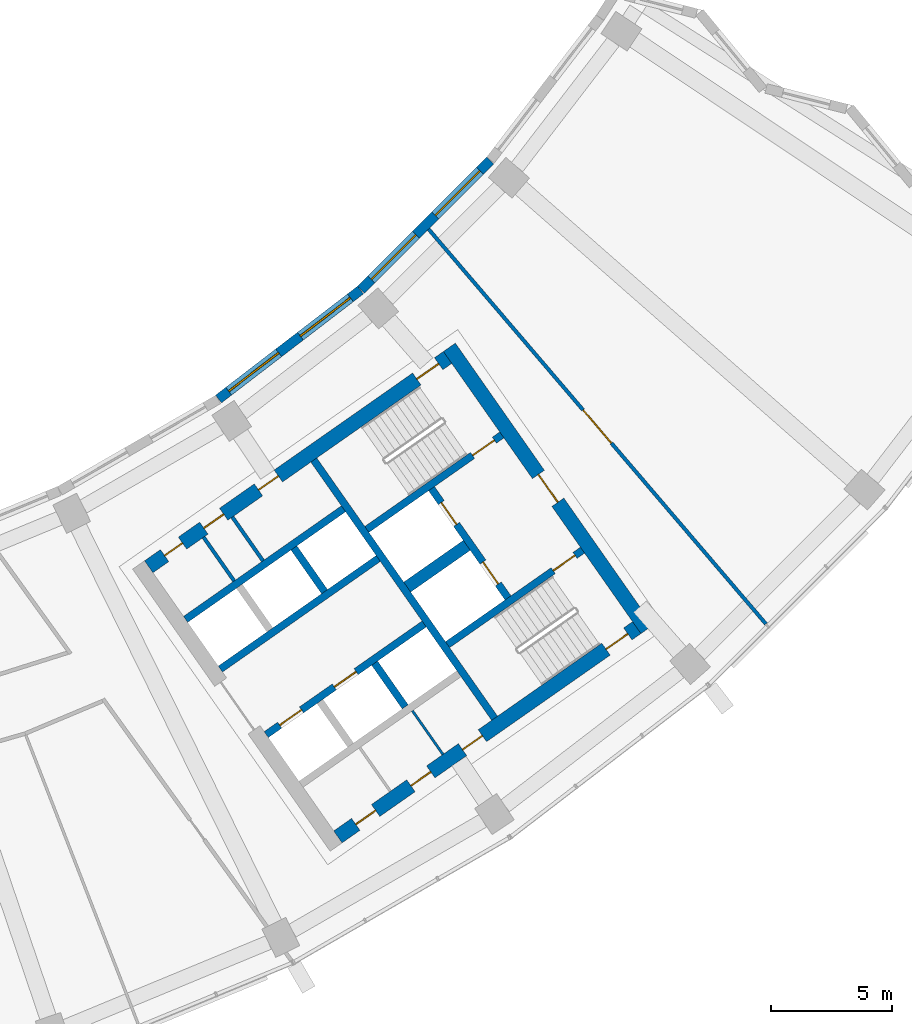
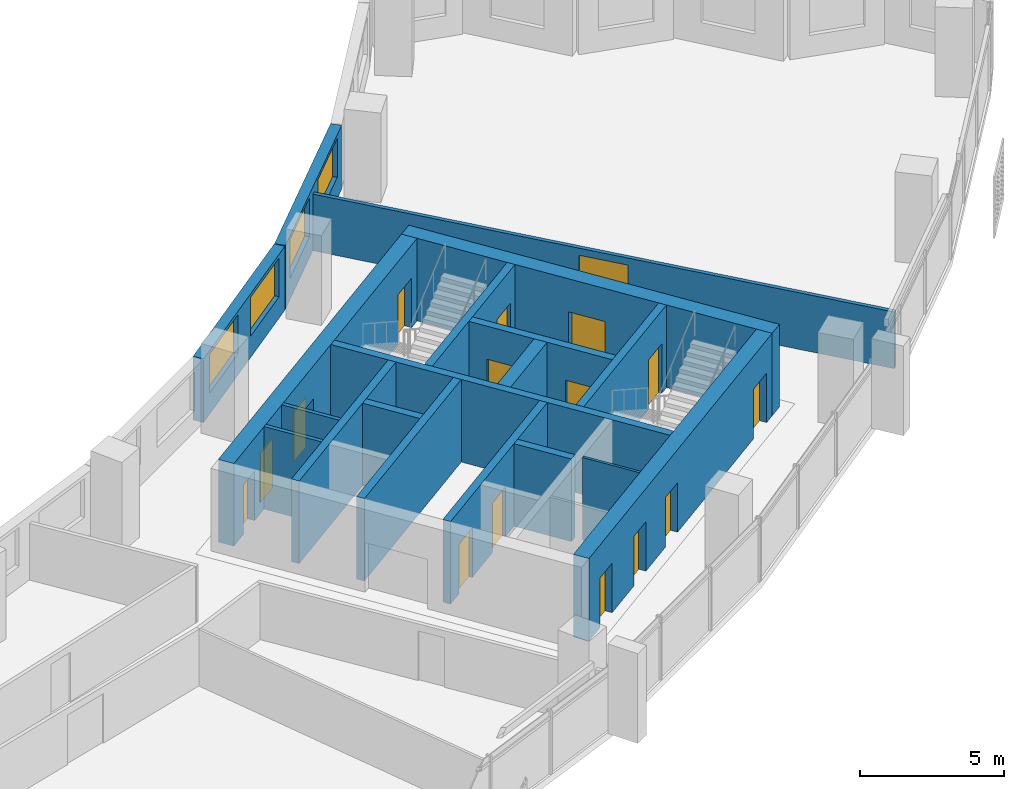
# One storey, part 6 of 27: 19 walls, 16 doors, 4 windows, 20 openings.
"""IFC4 building model written with IfcOpenShell, lengths in metres."""

from ifc_helpers import new_model, si_unit, direction, frame, frame_2d, origin, place, context, subcontext, project, spatial, rectangle, extrude, material, layer, layer_set, type_object, element, fill, save


model = new_model("IFC4")

# Units and contexts
model_context = context("Model", 3, precision=1e-05, world=origin(), true_north=direction((0.0, 1.0)))
body_context = subcontext(model_context, "Body", "Model", "MODEL_VIEW")
ifc_project = project(units=[si_unit("LENGTHUNIT", "METRE"), si_unit("AREAUNIT", "SQUARE_METRE"), si_unit("VOLUMEUNIT", "CUBIC_METRE"), si_unit("PLANEANGLEUNIT", "RADIAN"), si_unit("MASSUNIT", "GRAM", prefix="KILO")], contexts=[model_context])

# Site, building, storey
site_placement = place(None, origin())
site = spatial("IfcSite", under=ifc_project, at=site_placement, CompositionType="ELEMENT")
building_placement = place(site_placement, origin())
building = spatial("IfcBuilding", under=site, at=building_placement, Name="Qamariyya Broadcast Tower", CompositionType="ELEMENT")
storey_placement = place(building_placement, frame((0.0, 0.0, 153.10009765625)))
storey = spatial("IfcBuildingStorey", under=building, at=storey_placement, Name="L35", CompositionType="ELEMENT", Elevation=153.10009765625)

# Wall, opening, door
ifc_material_1 = material(Name="Concrete C60/75", Category="concrete")
ifc_layer_1 = layer(ifc_material_1, 0.60009765625)
ifc_layer_set_1 = layer_set([ifc_layer_1], Name="Core wall 600 mm Concrete C60/75")
wall_type_1 = type_object("IfcWallType", Name="Core wall 600 mm Concrete C60/75", PredefinedType="SHEAR", material=ifc_layer_set_1)
wall_1_placement = place(storey_placement, frame((49.4833984375, -57.031494140625, 0.0), z_axis=(0.0, 0.0, 1.0), x_axis=(-0.573560421458, 0.819163257805, 0.0)))
wall_1 = element("IfcWall", 1, at=wall_1_placement, inside=storey, type_object=wall_type_1, Name="k-E-L35-WH", PredefinedType="SHEAR", context=body_context, shape_type="SweptSolid", body=[
    extrude(rectangle(XDim=14.199951171875, YDim=0.60009765625, at=frame_2d((7.10009765625, 0.0))), origin(), (0.0, 0.0, 1.0), 3.5),
])
opening_1_placement = place(wall_1_placement, frame((6.39990234375, 0.0, 0.0)))
opening_1 = element("IfcOpeningElement", 2, at=opening_1_placement, cuts=wall_1, Name="Opening KD2-E1", PredefinedType="OPENING", context=body_context, shape_type="SweptSolid", body=[
    extrude(rectangle(XDim=1.39990234375, YDim=2.10009765625, at=frame_2d((0.699951171875, 1.050048828125))), frame((0.0, 0.31005859375, 0.0), z_axis=(0.0, -1.0, 0.0), x_axis=(1.0, 0.0, 0.0)), (0.0, 0.0, 1.0), 0.6201171875),
])
ifc_material_2 = material(Name="Steel fire-resisting door leaf", Category="steel")
door_type_1 = type_object("IfcDoorType", Name="Fire-fighting lobby door KD2", OperationType="DOUBLE_DOOR_SINGLE_SWING", PredefinedType="DOOR", material=ifc_material_2)
door_1_placement = place(opening_1_placement, origin())
door_1 = element("IfcDoor", 3, at=door_1_placement, inside=storey, type_object=door_type_1, Name="k-E-L35-WH-D12", OperationType="DOUBLE_DOOR_SINGLE_SWING", OverallHeight=2.10009765625, OverallWidth=1.39990234375, PredefinedType="DOOR", context=body_context, shape_type="SweptSolid", body=[
    extrude(rectangle(XDim=1.39990234375, YDim=2.10009765625, at=frame_2d((0.699951171875, 1.050048828125))), frame((0.0, 0.02490234375, 0.0), z_axis=(0.0, -1.0, 0.0), x_axis=(1.0, 0.0, 0.0)), (0.0, 0.0, 1.0), 0.050048828125),
])
fill(opening_1, door_1)

# Wall, openings, doors
wall_2_placement = place(storey_placement, frame((28.940673828125, -54.447021484375, 0.0), z_axis=(0.0, 0.0, 1.0), x_axis=(0.819153391756, 0.573574511963, 0.0)))
wall_2 = element("IfcWall", 4, at=wall_2_placement, inside=storey, type_object=wall_type_1, Name="k-E-L35-WI", PredefinedType="SHEAR", context=body_context, shape_type="SweptSolid", body=[
    extrude(rectangle(XDim=15.04541015625, YDim=0.60009765625, at=frame_2d((7.522705078125, 0.0))), origin(), (0.0, 0.0, 1.0), 3.5),
])
opening_2_placement = place(wall_2_placement, frame((0.800048828125, 0.0, 0.0)))
opening_2 = element("IfcOpeningElement", 5, at=opening_2_placement, cuts=wall_2, Name="Opening KD5-E1", PredefinedType="OPENING", context=body_context, shape_type="SweptSolid", body=[
    extrude(rectangle(XDim=0.89990234375, YDim=2.10009765625, at=frame_2d((0.449951171875, 1.050048828125))), frame((0.0, 0.31005859375, 0.0), z_axis=(0.0, -1.0, 0.0), x_axis=(1.0, 0.0, 0.0)), (0.0, 0.0, 1.0), 0.6201171875),
])
opening_3_placement = place(wall_2_placement, frame((2.77490234375, 0.0, 0.0)))
opening_3 = element("IfcOpeningElement", 6, at=opening_3_placement, cuts=wall_2, Name="Opening KD7-E1", PredefinedType="OPENING", context=body_context, shape_type="SweptSolid", body=[
    extrude(rectangle(XDim=1.0, YDim=2.10009765625, at=frame_2d((0.5, 1.050048828125))), frame((0.0, 0.31005859375, 0.0), z_axis=(0.0, -1.0, 0.0), x_axis=(1.0, 0.0, 0.0)), (0.0, 0.0, 1.0), 0.6201171875),
])
opening_4_placement = place(wall_2_placement, frame((5.52490234375, 0.0, 0.0)))
opening_4 = element("IfcOpeningElement", 7, at=opening_4_placement, cuts=wall_2, Name="Opening KD6-E1", PredefinedType="OPENING", context=body_context, shape_type="SweptSolid", body=[
    extrude(rectangle(XDim=1.0, YDim=2.10009765625, at=frame_2d((0.5, 1.050048828125))), frame((0.0, 0.31005859375, 0.0), z_axis=(0.0, -1.0, 0.0), x_axis=(1.0, 0.0, 0.0)), (0.0, 0.0, 1.0), 0.6201171875),
])
opening_5_placement = place(wall_2_placement, frame((13.495361328125, 0.0, 0.0)))
opening_5 = element("IfcOpeningElement", 8, at=opening_5_placement, cuts=wall_2, Name="Opening KD1-E1", PredefinedType="OPENING", context=body_context, shape_type="SweptSolid", body=[
    extrude(rectangle(XDim=1.10009765625, YDim=2.10009765625, at=frame_2d((0.550048828125, 1.050048828125))), frame((0.0, 0.31005859375, 0.0), z_axis=(0.0, -1.0, 0.0), x_axis=(1.0, 0.0, 0.0)), (0.0, 0.0, 1.0), 0.6201171875),
])
door_type_2 = type_object("IfcDoorType", Name="Accessible toilet door KD7", OperationType="SINGLE_SWING_LEFT", PredefinedType="DOOR", material=ifc_material_2)
door_2_placement = place(opening_3_placement, origin())
door_2 = element("IfcDoor", 9, at=door_2_placement, inside=storey, type_object=door_type_2, Name="k-E-L35-WI-D5", OperationType="SINGLE_SWING_LEFT", OverallHeight=2.10009765625, OverallWidth=1.0, PredefinedType="DOOR", context=body_context, shape_type="SweptSolid", body=[
    extrude(rectangle(XDim=1.0, YDim=2.10009765625, at=frame_2d((0.5, 1.050048828125))), frame((0.0, 0.02490234375, 0.0), z_axis=(0.0, -1.0, 0.0), x_axis=(1.0, 0.0, 0.0)), (0.0, 0.0, 1.0), 0.050048828125),
])
fill(opening_3, door_2)
door_type_3 = type_object("IfcDoorType", Name="Core room door KD6", OperationType="SINGLE_SWING_LEFT", PredefinedType="DOOR", material=ifc_material_2)
door_3_placement = place(opening_4_placement, origin())
door_3 = element("IfcDoor", 10, at=door_3_placement, inside=storey, type_object=door_type_3, Name="k-E-L35-WI-D6", OperationType="SINGLE_SWING_RIGHT", OverallHeight=2.10009765625, OverallWidth=1.0, PredefinedType="DOOR", context=body_context, shape_type="SweptSolid", body=[
    extrude(rectangle(XDim=1.0, YDim=2.10009765625, at=frame_2d((0.5, 1.050048828125))), frame((0.0, 0.02490234375, 0.0), z_axis=(0.0, -1.0, 0.0), x_axis=(1.0, 0.0, 0.0)), (0.0, 0.0, 1.0), 0.050048828125),
])
fill(opening_4, door_3)
door_type_4 = type_object("IfcDoorType", Name="Stair door KD1", OperationType="SINGLE_SWING_LEFT", PredefinedType="DOOR", material=ifc_material_2)
door_4_placement = place(opening_5_placement, origin())
door_4 = element("IfcDoor", 11, at=door_4_placement, inside=storey, type_object=door_type_4, Name="k-E-L35-WI-D13", OperationType="SINGLE_SWING_RIGHT", OverallHeight=2.10009765625, OverallWidth=1.10009765625, PredefinedType="DOOR", context=body_context, shape_type="SweptSolid", body=[
    extrude(rectangle(XDim=1.10009765625, YDim=2.10009765625, at=frame_2d((0.550048828125, 1.050048828125))), frame((0.0, 0.02490234375, 0.0), z_axis=(0.0, -1.0, 0.0), x_axis=(1.0, 0.0, 0.0)), (0.0, 0.0, 1.0), 0.050048828125),
])
fill(opening_5, door_4)
door_type_5 = type_object("IfcDoorType", Name="Toilet door KD5", OperationType="SINGLE_SWING_LEFT", PredefinedType="DOOR", material=ifc_material_2)
door_5_placement = place(opening_2_placement, origin())
door_5 = element("IfcDoor", 12, at=door_5_placement, inside=storey, type_object=door_type_5, Name="k-E-L35-WI-D4", OperationType="SINGLE_SWING_RIGHT", OverallHeight=2.10009765625, OverallWidth=0.89990234375, PredefinedType="DOOR", context=body_context, shape_type="SweptSolid", body=[
    extrude(rectangle(XDim=0.89990234375, YDim=2.10009765625, at=frame_2d((0.449951171875, 1.050048828125))), frame((0.0, 0.02490234375, 0.0), z_axis=(0.0, -1.0, 0.0), x_axis=(1.0, 0.0, 0.0)), (0.0, 0.0, 1.0), 0.050048828125),
])
fill(opening_2, door_5)

wall_3_placement = place(storey_placement, frame((36.7412109375, -65.58740234375, 0.0), z_axis=(0.0, 0.0, 1.0), x_axis=(0.819153391756, 0.573574511963, 0.0)))
wall_3 = element("IfcWall", 13, at=wall_3_placement, inside=storey, type_object=wall_type_1, Name="k-E-L35-WO", PredefinedType="SHEAR", context=body_context, shape_type="SweptSolid", body=[
    extrude(rectangle(XDim=15.04541015625, YDim=0.60009765625, at=frame_2d((7.522705078125, 0.0))), origin(), (0.0, 0.0, 1.0), 3.5),
])
opening_6_placement = place(wall_3_placement, frame((0.89990234375, 0.0, 0.0)))
opening_6 = element("IfcOpeningElement", 14, at=opening_6_placement, cuts=wall_3, Name="Opening KD4-E1", PredefinedType="OPENING", context=body_context, shape_type="SweptSolid", body=[
    extrude(rectangle(XDim=1.0, YDim=2.10009765625, at=frame_2d((0.5, 1.050048828125))), frame((0.0, 0.31005859375, 0.0), z_axis=(0.0, -1.0, 0.0), x_axis=(1.0, 0.0, 0.0)), (0.0, 0.0, 1.0), 0.6201171875),
])
opening_7_placement = place(wall_3_placement, frame((3.675048828125, 0.0, 0.0)))
opening_7 = element("IfcOpeningElement", 15, at=opening_7_placement, cuts=wall_3, Name="Opening KD4-E2", PredefinedType="OPENING", context=body_context, shape_type="SweptSolid", body=[
    extrude(rectangle(XDim=1.0, YDim=2.10009765625, at=frame_2d((0.5, 1.050048828125))), frame((0.0, 0.31005859375, 0.0), z_axis=(0.0, -1.0, 0.0), x_axis=(1.0, 0.0, 0.0)), (0.0, 0.0, 1.0), 0.6201171875),
])
opening_8_placement = place(wall_3_placement, frame((6.27490234375, 0.0, 0.0)))
opening_8 = element("IfcOpeningElement", 16, at=opening_8_placement, cuts=wall_3, Name="Opening KD4-E3", PredefinedType="OPENING", context=body_context, shape_type="SweptSolid", body=[
    extrude(rectangle(XDim=1.0, YDim=2.10009765625, at=frame_2d((0.5, 1.050048828125))), frame((0.0, 0.31005859375, 0.0), z_axis=(0.0, -1.0, 0.0), x_axis=(1.0, 0.0, 0.0)), (0.0, 0.0, 1.0), 0.6201171875),
])
opening_9_placement = place(wall_3_placement, frame((13.495361328125, 0.0, 0.0)))
opening_9 = element("IfcOpeningElement", 17, at=opening_9_placement, cuts=wall_3, Name="Opening KD1-E3", PredefinedType="OPENING", context=body_context, shape_type="SweptSolid", body=[
    extrude(rectangle(XDim=1.10009765625, YDim=2.10009765625, at=frame_2d((0.550048828125, 1.050048828125))), frame((0.0, 0.31005859375, 0.0), z_axis=(0.0, -1.0, 0.0), x_axis=(1.0, 0.0, 0.0)), (0.0, 0.0, 1.0), 0.6201171875),
])
door_type_6 = type_object("IfcDoorType", Name="Riser and plant door KD4", OperationType="SINGLE_SWING_LEFT", PredefinedType="DOOR", material=ifc_material_2)
door_6_placement = place(opening_6_placement, origin())
door_6 = element("IfcDoor", 18, at=door_6_placement, inside=storey, type_object=door_type_6, Name="k-E-L35-WO-D7", OperationType="SINGLE_SWING_LEFT", OverallHeight=2.10009765625, OverallWidth=1.0, PredefinedType="DOOR", context=body_context, shape_type="SweptSolid", body=[
    extrude(rectangle(XDim=1.0, YDim=2.10009765625, at=frame_2d((0.5, 1.050048828125))), frame((0.0, 0.02490234375, 0.0), z_axis=(0.0, -1.0, 0.0), x_axis=(1.0, 0.0, 0.0)), (0.0, 0.0, 1.0), 0.050048828125),
])
fill(opening_6, door_6)
door_7_placement = place(opening_7_placement, origin())
door_7 = element("IfcDoor", 19, at=door_7_placement, inside=storey, type_object=door_type_6, Name="k-E-L35-WO-D8", OperationType="SINGLE_SWING_RIGHT", OverallHeight=2.10009765625, OverallWidth=1.0, PredefinedType="DOOR", context=body_context, shape_type="SweptSolid", body=[
    extrude(rectangle(XDim=1.0, YDim=2.10009765625, at=frame_2d((0.5, 1.050048828125))), frame((0.0, 0.02490234375, 0.0), z_axis=(0.0, -1.0, 0.0), x_axis=(1.0, 0.0, 0.0)), (0.0, 0.0, 1.0), 0.050048828125),
])
fill(opening_7, door_7)
door_8_placement = place(opening_8_placement, origin())
door_8 = element("IfcDoor", 20, at=door_8_placement, inside=storey, type_object=door_type_6, Name="k-E-L35-WO-D9", OperationType="SINGLE_SWING_LEFT", OverallHeight=2.10009765625, OverallWidth=1.0, PredefinedType="DOOR", context=body_context, shape_type="SweptSolid", body=[
    extrude(rectangle(XDim=1.0, YDim=2.10009765625, at=frame_2d((0.5, 1.050048828125))), frame((0.0, 0.02490234375, 0.0), z_axis=(0.0, -1.0, 0.0), x_axis=(1.0, 0.0, 0.0)), (0.0, 0.0, 1.0), 0.050048828125),
])
fill(opening_8, door_8)
door_9_placement = place(opening_9_placement, origin())
door_9 = element("IfcDoor", 21, at=door_9_placement, inside=storey, type_object=door_type_4, Name="k-E-L35-WO-D15", OperationType="SINGLE_SWING_LEFT", OverallHeight=2.10009765625, OverallWidth=1.10009765625, PredefinedType="DOOR", context=body_context, shape_type="SweptSolid", body=[
    extrude(rectangle(XDim=1.10009765625, YDim=2.10009765625, at=frame_2d((0.550048828125, 1.050048828125))), frame((0.0, 0.02490234375, 0.0), z_axis=(0.0, -1.0, 0.0), x_axis=(1.0, 0.0, 0.0)), (0.0, 0.0, 1.0), 0.050048828125),
])
fill(opening_9, door_9)

# Wall, opening, door
ifc_material_3 = material(Name="Gypsum board partition")
ifc_layer_2 = layer(ifc_material_3, 0.14990234375)
ifc_layer_set_2 = layer_set([ifc_layer_2], Name="Corridor partition 150 EI 60")
wall_type_2 = type_object("IfcWallType", Name="Corridor partition 150 EI 60", PredefinedType="PARTITIONING", material=ifc_layer_set_2)
wall_4_placement = place(storey_placement, frame((40.478759765625, -40.52294921875, 0.0), z_axis=(0.0, 0.0, 1.0), x_axis=(0.649633284071, -0.760247720303, 0.0)))
wall_4 = element("IfcWall", 22, at=wall_4_placement, inside=storey, type_object=wall_type_2, Name="Partition L35-030", PredefinedType="PARTITIONING", context=body_context, shape_type="SweptSolid", body=[
    extrude(rectangle(XDim=21.420166015625, YDim=0.14990234375, at=frame_2d((10.7099609375, 0.0))), origin(), (0.0, 0.0, 1.0), 2.39990234375),
])
opening_10_placement = place(wall_4_placement, frame((9.81005859375, 0.0, 0.0)))
opening_10 = element("IfcOpeningElement", 23, at=opening_10_placement, cuts=wall_4, Name="Opening L35-D14", PredefinedType="OPENING", context=body_context, shape_type="SweptSolid", body=[
    extrude(rectangle(XDim=1.800048828125, YDim=2.10009765625, at=frame_2d((0.89990234375, 1.050048828125))), frame((0.0, 0.0849609375, 0.0), z_axis=(0.0, -1.0, 0.0), x_axis=(1.0, 0.0, 0.0)), (0.0, 0.0, 1.0), 0.169921875),
])
ifc_material_4 = material(Name="Timber fire door leaf", Category="wood")
door_type_7 = type_object("IfcDoorType", Name="Double fire door 1800 x 2100 FD60", OperationType="NOTDEFINED", PredefinedType="DOOR", material=ifc_material_4)
door_10_placement = place(opening_10_placement, origin())
door_10 = element("IfcDoor", 24, at=door_10_placement, inside=storey, type_object=door_type_7, Name="Door L35-D14", OperationType="DOUBLE_DOOR_SINGLE_SWING", OverallHeight=2.10009765625, OverallWidth=1.800048828125, PredefinedType="DOOR", context=body_context, shape_type="SweptSolid", body=[
    extrude(rectangle(XDim=1.800048828125, YDim=2.10009765625, at=frame_2d((0.89990234375, 1.050048828125))), frame((0.0, 0.02490234375, 0.0), z_axis=(0.0, -1.0, 0.0), x_axis=(1.0, 0.0, 0.0)), (0.0, 0.0, 1.0), 0.050048828125),
])
fill(opening_10, door_10)

# Walls
ifc_layer_3 = layer(ifc_material_1, 0.5)
ifc_layer_set_3 = layer_set([ifc_layer_3], Name="Fire-fighting lobby divider wall 500 mm Concrete C60/75")
wall_type_3 = type_object("IfcWallType", Name="Fire-fighting lobby divider wall 500 mm Concrete C60/75", PredefinedType="SOLIDWALL", material=ifc_layer_set_3)
wall_5_placement = place(storey_placement, frame((39.59912109375, -55.28515625, 0.0), z_axis=(0.0, 0.0, 1.0), x_axis=(0.819136323161, 0.573598887793, 0.0)))
element("IfcWall", 25, at=wall_5_placement, inside=storey, type_object=wall_type_3, Name="k-E-L35-FD", PredefinedType="SOLIDWALL", context=body_context, shape_type="SweptSolid", body=[
    extrude(rectangle(XDim=2.999755859375, YDim=0.5, at=frame_2d((1.5, 0.0))), origin(), (0.0, 0.0, 1.0), 3.5),
])
ifc_material_5 = material(Name="Gypsum board partition on steel studs", Category="steel")
ifc_layer_4 = layer(ifc_material_5, 0.14990234375)
ifc_layer_set_4 = layer_set([ifc_layer_4], Name="Gypsum board partition 150 mm")
wall_type_4 = type_object("IfcWallType", Name="Gypsum board partition 150 mm", PredefinedType="PARTITIONING", material=ifc_layer_set_4)
wall_6_placement = place(storey_placement, frame((32.46337890625, -55.0322265625, 0.0), z_axis=(0.0, 0.0, 1.0), x_axis=(-0.573507030513, 0.819200638399, 0.0)))
element("IfcWall", 26, at=wall_6_placement, inside=storey, type_object=wall_type_4, Name="k-E-L35-NP255", PredefinedType="PARTITIONING", context=body_context, shape_type="SweptSolid", body=[
    extrude(rectangle(XDim=2.199951171875, YDim=0.14990234375, at=frame_2d((1.10009765625, 0.0))), origin(), (0.0, 0.0, 1.0), 3.5),
])
wall_7_placement = place(storey_placement, frame((33.651123046875, -54.200439453125, 0.0), z_axis=(0.0, 0.0, 1.0), x_axis=(-0.573559170999, 0.819164133348, 0.0)))
element("IfcWall", 27, at=wall_7_placement, inside=storey, type_object=wall_type_4, Name="k-E-L35-NP400", PredefinedType="PARTITIONING", context=body_context, shape_type="SweptSolid", body=[
    extrude(rectangle(XDim=2.19970703125, YDim=0.14990234375, at=frame_2d((1.099853515625, 0.0))), origin(), (0.0, 0.0, 1.0), 3.5),
])
ifc_layer_5 = layer(ifc_material_1, 0.300048828125)
ifc_layer_set_5 = layer_set([ifc_layer_5], Name="Lift shaft wall 300 mm Concrete C60/75")
wall_type_5 = type_object("IfcWallType", Name="Lift shaft wall 300 mm Concrete C60/75", PredefinedType="SOLIDWALL", material=ifc_layer_set_5)
wall_8_placement = place(storey_placement, frame((43.204345703125, -60.69580078125, 0.0), z_axis=(0.0, 0.0, 1.0), x_axis=(-0.573571992966, 0.819155155563, 0.0)))
element("IfcWall", 28, at=wall_8_placement, inside=storey, type_object=wall_type_5, Name="k-E-L35-WL", PredefinedType="SOLIDWALL", context=body_context, shape_type="SweptSolid", body=[
    extrude(rectangle(XDim=13.000244140625, YDim=0.300048828125, at=frame_2d((6.5, 0.0))), origin(), (0.0, 0.0, 1.0), 3.5),
])
wall_9_placement = place(storey_placement, frame((31.89453125, -58.66552734375, 0.0), z_axis=(0.0, 0.0, 1.0), x_axis=(0.819166993208, 0.573555086491, 0.0)))
element("IfcWall", 29, at=wall_9_placement, inside=storey, type_object=wall_type_5, Name="k-E-L35-NF0", PredefinedType="SOLIDWALL", context=body_context, shape_type="SweptSolid", body=[
    extrude(rectangle(XDim=7.9501953125, YDim=0.300048828125, at=frame_2d((3.97509765625, 0.0))), origin(), (0.0, 0.0, 1.0), 3.5),
])
wall_10_placement = place(storey_placement, frame((30.460693359375, -56.61767578125, 0.0), z_axis=(0.0, 0.0, 1.0), x_axis=(0.819142461705, 0.573590121456, 0.0)))
element("IfcWall", 30, at=wall_10_placement, inside=storey, type_object=wall_type_5, Name="k-E-L35-NB0", PredefinedType="SOLIDWALL", context=body_context, shape_type="SweptSolid", body=[
    extrude(rectangle(XDim=7.949951171875, YDim=0.300048828125, at=frame_2d((3.97509765625, 0.0))), origin(), (0.0, 0.0, 1.0), 3.5),
])
wall_11_placement = place(storey_placement, frame((36.19091796875, -55.47412109375, 0.0), z_axis=(0.0, 0.0, 1.0), x_axis=(-0.573507030513, 0.819200638399, 0.0)))
element("IfcWall", 31, at=wall_11_placement, inside=storey, type_object=wall_type_5, Name="k-E-L35-ND1", PredefinedType="SOLIDWALL", context=body_context, shape_type="SweptSolid", body=[
    extrude(rectangle(XDim=2.199951171875, YDim=0.300048828125, at=frame_2d((1.10009765625, 0.0))), origin(), (0.0, 0.0, 1.0), 3.5),
])

# Wall, openings, doors
wall_12_placement = place(storey_placement, frame((33.787353515625, -61.368896484375, 0.0), z_axis=(0.0, 0.0, 1.0), x_axis=(0.819152564888, 0.573575692858, 0.0)))
wall_12 = element("IfcWall", 32, at=wall_12_placement, inside=storey, type_object=wall_type_5, Name="k-E-L35-SF0", PredefinedType="SOLIDWALL", context=body_context, shape_type="SweptSolid", body=[
    extrude(rectangle(XDim=7.9501953125, YDim=0.300048828125, at=frame_2d((3.97509765625, 0.0))), origin(), (0.0, 0.0, 1.0), 3.5),
])
opening_11_placement = place(wall_12_placement, frame((0.675048828125, 0.0, 0.0)))
opening_11 = element("IfcOpeningElement", 33, at=opening_11_placement, cuts=wall_12, Name="Opening LD", PredefinedType="OPENING", context=body_context, shape_type="SweptSolid", body=[
    extrude(rectangle(XDim=1.10009765625, YDim=2.10009765625, at=frame_2d((0.550048828125, 1.050048828125))), frame((0.0, 0.159912109375, 0.0), z_axis=(0.0, -1.0, 0.0), x_axis=(1.0, 0.0, 0.0)), (0.0, 0.0, 1.0), 0.320068359375),
])
opening_12_placement = place(wall_12_placement, frame((3.425048828125, 0.0, 0.0)))
opening_12 = element("IfcOpeningElement", 34, at=opening_12_placement, cuts=wall_12, Name="Opening LD", PredefinedType="OPENING", context=body_context, shape_type="SweptSolid", body=[
    extrude(rectangle(XDim=1.10009765625, YDim=2.10009765625, at=frame_2d((0.550048828125, 1.050048828125))), frame((0.0, 0.159912109375, 0.0), z_axis=(0.0, -1.0, 0.0), x_axis=(1.0, 0.0, 0.0)), (0.0, 0.0, 1.0), 0.320068359375),
])
door_type_8 = type_object("IfcDoorType", Name="Lift landing door LD", OperationType="DOUBLE_DOOR_SLIDING", PredefinedType="DOOR", material=ifc_material_2)
door_11_placement = place(opening_11_placement, origin())
door_11 = element("IfcDoor", 35, at=door_11_placement, inside=storey, type_object=door_type_8, Name="k-E-L35-SF0-D2", OperationType="DOUBLE_DOOR_SLIDING", OverallHeight=2.10009765625, OverallWidth=1.10009765625, PredefinedType="DOOR", context=body_context, shape_type="SweptSolid", body=[
    extrude(rectangle(XDim=1.10009765625, YDim=2.10009765625, at=frame_2d((0.550048828125, 1.050048828125))), frame((0.0, 0.02490234375, 0.0), z_axis=(0.0, -1.0, 0.0), x_axis=(1.0, 0.0, 0.0)), (0.0, 0.0, 1.0), 0.050048828125),
])
fill(opening_11, door_11)
door_12_placement = place(opening_12_placement, origin())
door_12 = element("IfcDoor", 36, at=door_12_placement, inside=storey, type_object=door_type_8, Name="k-E-L35-SF0-D3", OperationType="DOUBLE_DOOR_SLIDING", OverallHeight=2.10009765625, OverallWidth=1.10009765625, PredefinedType="DOOR", context=body_context, shape_type="SweptSolid", body=[
    extrude(rectangle(XDim=1.10009765625, YDim=2.10009765625, at=frame_2d((0.550048828125, 1.050048828125))), frame((0.0, 0.02490234375, 0.0), z_axis=(0.0, -1.0, 0.0), x_axis=(1.0, 0.0, 0.0)), (0.0, 0.0, 1.0), 0.050048828125),
])
fill(opening_12, door_12)

# Wall
wall_13_placement = place(storey_placement, frame((38.255859375, -58.423095703125, 0.0), z_axis=(0.0, 0.0, 1.0), x_axis=(0.573633636671, -0.819111989218, 0.0)))
element("IfcWall", 37, at=wall_13_placement, inside=storey, type_object=wall_type_5, Name="k-E-L35-SD1", PredefinedType="SOLIDWALL", context=body_context, shape_type="SweptSolid", body=[
    extrude(rectangle(XDim=2.199951171875, YDim=0.300048828125, at=frame_2d((1.10009765625, 0.0))), origin(), (0.0, 0.0, 1.0), 3.5),
])

# Wall, opening, door
wall_14_placement = place(storey_placement, frame((37.935546875, -52.90966796875, 0.0), z_axis=(0.0, 0.0, 1.0), x_axis=(0.819147518138, 0.57358290031, 0.0)))
wall_14 = element("IfcWall", 38, at=wall_14_placement, inside=storey, type_object=wall_type_5, Name="k-E-L35-NW", PredefinedType="SOLIDWALL", context=body_context, shape_type="SweptSolid", body=[
    extrude(rectangle(XDim=6.79541015625, YDim=0.300048828125, at=frame_2d((3.397705078125, 0.0))), origin(), (0.0, 0.0, 1.0), 3.5),
])
opening_13_placement = place(wall_14_placement, frame((5.3203125, 0.0, 0.0)))
opening_13 = element("IfcOpeningElement", 39, at=opening_13_placement, cuts=wall_14, Name="Opening KD1-E2", PredefinedType="OPENING", context=body_context, shape_type="SweptSolid", body=[
    extrude(rectangle(XDim=1.10009765625, YDim=2.10009765625, at=frame_2d((0.550048828125, 1.050048828125))), frame((0.0, 0.159912109375, 0.0), z_axis=(0.0, -1.0, 0.0), x_axis=(1.0, 0.0, 0.0)), (0.0, 0.0, 1.0), 0.320068359375),
])
door_13_placement = place(opening_13_placement, origin())
door_13 = element("IfcDoor", 40, at=door_13_placement, inside=storey, type_object=door_type_4, Name="k-E-L35-NW-D14", OperationType="SINGLE_SWING_RIGHT", OverallHeight=2.10009765625, OverallWidth=1.10009765625, PredefinedType="DOOR", context=body_context, shape_type="SweptSolid", body=[
    extrude(rectangle(XDim=1.10009765625, YDim=2.10009765625, at=frame_2d((0.550048828125, 1.050048828125))), frame((0.0, 0.02490234375, 0.0), z_axis=(0.0, -1.0, 0.0), x_axis=(1.0, 0.0, 0.0)), (0.0, 0.0, 1.0), 0.050048828125),
])
fill(opening_13, door_13)

wall_15_placement = place(storey_placement, frame((41.262451171875, -57.66064453125, 0.0), z_axis=(0.0, 0.0, 1.0), x_axis=(0.819164398642, 0.573558792102, 0.0)))
wall_15 = element("IfcWall", 41, at=wall_15_placement, inside=storey, type_object=wall_type_5, Name="k-E-L35-SW", PredefinedType="SOLIDWALL", context=body_context, shape_type="SweptSolid", body=[
    extrude(rectangle(XDim=6.795166015625, YDim=0.300048828125, at=frame_2d((3.3974609375, 0.0))), origin(), (0.0, 0.0, 1.0), 3.5),
])
opening_14_placement = place(wall_15_placement, frame((5.3203125, 0.0, 0.0)))
opening_14 = element("IfcOpeningElement", 42, at=opening_14_placement, cuts=wall_15, Name="Opening KD1-E4", PredefinedType="OPENING", context=body_context, shape_type="SweptSolid", body=[
    extrude(rectangle(XDim=1.10009765625, YDim=2.10009765625, at=frame_2d((0.550048828125, 1.050048828125))), frame((0.0, 0.159912109375, 0.0), z_axis=(0.0, -1.0, 0.0), x_axis=(1.0, 0.0, 0.0)), (0.0, 0.0, 1.0), 0.320068359375),
])
door_14_placement = place(opening_14_placement, origin())
door_14 = element("IfcDoor", 43, at=door_14_placement, inside=storey, type_object=door_type_4, Name="k-E-L35-SW-D16", OperationType="SINGLE_SWING_RIGHT", OverallHeight=2.10009765625, OverallWidth=1.10009765625, PredefinedType="DOOR", context=body_context, shape_type="SweptSolid", body=[
    extrude(rectangle(XDim=1.10009765625, YDim=2.10009765625, at=frame_2d((0.550048828125, 1.050048828125))), frame((0.0, 0.02490234375, 0.0), z_axis=(0.0, -1.0, 0.0), x_axis=(1.0, 0.0, 0.0)), (0.0, 0.0, 1.0), 0.050048828125),
])
fill(opening_14, door_14)

# Wall, openings, doors
wall_16_placement = place(storey_placement, frame((43.756591796875, -55.731201171875, 0.0), z_axis=(0.0, 0.0, 1.0), x_axis=(-0.573536818435, 0.819179783625, 0.0)))
wall_16 = element("IfcWall", 44, at=wall_16_placement, inside=storey, type_object=wall_type_5, Name="k-E-L35-FF", PredefinedType="SOLIDWALL", context=body_context, shape_type="SweptSolid", body=[
    extrude(rectangle(XDim=5.500244140625, YDim=0.300048828125, at=frame_2d((2.75, 0.0))), origin(), (0.0, 0.0, 1.0), 3.5),
])
opening_15_placement = place(wall_16_placement, frame((0.699951171875, 0.0, 0.0)))
opening_15 = element("IfcOpeningElement", 45, at=opening_15_placement, cuts=wall_16, Name="Opening LD", PredefinedType="OPENING", context=body_context, shape_type="SweptSolid", body=[
    extrude(rectangle(XDim=1.10009765625, YDim=2.10009765625, at=frame_2d((0.550048828125, 1.050048828125))), frame((0.0, 0.159912109375, 0.0), z_axis=(0.0, -1.0, 0.0), x_axis=(1.0, 0.0, 0.0)), (0.0, 0.0, 1.0), 0.320068359375),
])
opening_16_placement = place(wall_16_placement, frame((3.699951171875, 0.0, 0.0)))
opening_16 = element("IfcOpeningElement", 46, at=opening_16_placement, cuts=wall_16, Name="Opening LD", PredefinedType="OPENING", context=body_context, shape_type="SweptSolid", body=[
    extrude(rectangle(XDim=1.10009765625, YDim=2.10009765625, at=frame_2d((0.550048828125, 1.050048828125))), frame((0.0, 0.159912109375, 0.0), z_axis=(0.0, -1.0, 0.0), x_axis=(1.0, 0.0, 0.0)), (0.0, 0.0, 1.0), 0.320068359375),
])
door_15_placement = place(opening_15_placement, origin())
door_15 = element("IfcDoor", 47, at=door_15_placement, inside=storey, type_object=door_type_8, Name="k-E-L35-FF-D10", OperationType="DOUBLE_DOOR_SLIDING", OverallHeight=2.10009765625, OverallWidth=1.10009765625, PredefinedType="DOOR", context=body_context, shape_type="SweptSolid", body=[
    extrude(rectangle(XDim=1.10009765625, YDim=2.10009765625, at=frame_2d((0.550048828125, 1.050048828125))), frame((0.0, 0.02490234375, 0.0), z_axis=(0.0, -1.0, 0.0), x_axis=(1.0, 0.0, 0.0)), (0.0, 0.0, 1.0), 0.050048828125),
])
fill(opening_15, door_15)
door_16_placement = place(opening_16_placement, origin())
door_16 = element("IfcDoor", 48, at=door_16_placement, inside=storey, type_object=door_type_8, Name="k-E-L35-FF-D11", OperationType="DOUBLE_DOOR_SLIDING", OverallHeight=2.10009765625, OverallWidth=1.10009765625, PredefinedType="DOOR", context=body_context, shape_type="SweptSolid", body=[
    extrude(rectangle(XDim=1.10009765625, YDim=2.10009765625, at=frame_2d((0.550048828125, 1.050048828125))), frame((0.0, 0.02490234375, 0.0), z_axis=(0.0, -1.0, 0.0), x_axis=(1.0, 0.0, 0.0)), (0.0, 0.0, 1.0), 0.050048828125),
])
fill(opening_16, door_16)

# Wall
ifc_material_6 = material(Name="Fire-rated gypsum shaft liner on steel studs", Category="steel")
ifc_layer_6 = layer(ifc_material_6, 0.10009765625)
ifc_layer_set_6 = layer_set([ifc_layer_6], Name="Riser wall 100 mm")
wall_type_6 = type_object("IfcWallType", Name="Riser wall 100 mm", PredefinedType="PLUMBINGWALL", material=ifc_layer_set_6)
wall_17_placement = place(storey_placement, frame((39.812744140625, -60.384765625, 0.0), z_axis=(0.0, 0.0, 1.0), x_axis=(0.573581496053, -0.819148501424, 0.0)))
element("IfcWall", 49, at=wall_17_placement, inside=storey, type_object=wall_type_6, Name="k-E-L35-SP550", PredefinedType="PLUMBINGWALL", context=body_context, shape_type="SweptSolid", body=[
    extrude(rectangle(XDim=2.2001953125, YDim=0.10009765625, at=frame_2d((1.10009765625, 0.0))), origin(), (0.0, 0.0, 1.0), 3.5),
])

# Wall, openings, windows
ifc_material_7 = material(Name="Terracotta", Category="masonry")
ifc_layer_7 = layer(ifc_material_7, 0.39990234375)
ifc_layer_set_7 = layer_set([ifc_layer_7], Name="Terracotta clad wall 400")
wall_type_7 = type_object("IfcWallType", Name="Terracotta clad wall 400", PredefinedType="SOLIDWALL", material=ifc_layer_set_7)
wall_18_placement = place(storey_placement, frame((37.674560546875, -43.036376953125, 0.0), z_axis=(0.0, 0.0, 1.0), x_axis=(-0.79334647843, -0.608770371457, 0.0)))
wall_18 = element("IfcWall", 50, at=wall_18_placement, inside=storey, type_object=wall_type_7, Name="e-wl-L35-in120", PredefinedType="SOLIDWALL", context=body_context, shape_type="SweptSolid", body=[
    extrude(rectangle(XDim=7.380615234375, YDim=0.39990234375, at=frame_2d((3.6904296875, 0.0))), origin(), (0.0, 0.0, 1.0), 2.699951171875),
])
opening_17_placement = place(wall_18_placement, frame((4.25439453125, 0.0, 0.89990234375)))
opening_17 = element("IfcOpeningElement", 51, at=opening_17_placement, cuts=wall_18, Name="Opening W1", PredefinedType="OPENING", context=body_context, shape_type="SweptSolid", body=[
    extrude(rectangle(XDim=2.60009765625, YDim=1.64990234375, at=frame_2d((1.300048828125, 0.824951171875))), frame((0.0, 0.2099609375, 0.0), z_axis=(0.0, -1.0, 0.0), x_axis=(1.0, 0.0, 0.0)), (0.0, 0.0, 1.0), 0.419921875),
])
opening_18_placement = place(wall_18_placement, frame((0.5263671875, 0.0, 0.89990234375)))
opening_18 = element("IfcOpeningElement", 52, at=opening_18_placement, cuts=wall_18, Name="Opening W1", PredefinedType="OPENING", context=body_context, shape_type="SweptSolid", body=[
    extrude(rectangle(XDim=2.60009765625, YDim=1.64990234375, at=frame_2d((1.300048828125, 0.824951171875))), frame((0.0, 0.2099609375, 0.0), z_axis=(0.0, -1.0, 0.0), x_axis=(1.0, 0.0, 0.0)), (0.0, 0.0, 1.0), 0.419921875),
])
ifc_material_8 = material(Name="Clear low-e double glazed unit in aluminium frame", Category="aluminium")
window_type = type_object("IfcWindowType", Name="Ribbon window 2600 x 1650", PartitioningType="SINGLE_PANEL", PredefinedType="WINDOW", material=ifc_material_8)
window_1_placement = place(opening_17_placement, origin())
window_1 = element("IfcWindow", 53, at=window_1_placement, inside=storey, type_object=window_type, Name="e-w-L35-in12-0", OverallHeight=1.64990234375, OverallWidth=2.60009765625, PartitioningType="SINGLE_PANEL", PredefinedType="WINDOW", context=body_context, shape_type="SweptSolid", body=[
    extrude(rectangle(XDim=2.60009765625, YDim=1.64990234375, at=frame_2d((1.300048828125, 0.824951171875))), frame((0.0, 0.030029296875, 0.0), z_axis=(0.0, -1.0, 0.0), x_axis=(1.0, 0.0, 0.0)), (0.0, 0.0, 1.0), 0.06005859375),
])
fill(opening_17, window_1)
window_2_placement = place(opening_18_placement, origin())
window_2 = element("IfcWindow", 54, at=window_2_placement, inside=storey, type_object=window_type, Name="e-w-L35-in12-1", OverallHeight=1.64990234375, OverallWidth=2.60009765625, PartitioningType="SINGLE_PANEL", PredefinedType="WINDOW", context=body_context, shape_type="SweptSolid", body=[
    extrude(rectangle(XDim=2.60009765625, YDim=1.64990234375, at=frame_2d((1.300048828125, 0.824951171875))), frame((0.0, 0.030029296875, 0.0), z_axis=(0.0, -1.0, 0.0), x_axis=(1.0, 0.0, 0.0)), (0.0, 0.0, 1.0), 0.06005859375),
])
fill(opening_18, window_2)

wall_19_placement = place(storey_placement, frame((43.023193359375, -37.697265625, 0.0), z_axis=(0.0, 0.0, 1.0), x_axis=(-0.707106781187, -0.707106781187, 0.0)))
wall_19 = element("IfcWall", 55, at=wall_19_placement, inside=storey, type_object=wall_type_7, Name="e-wl-L35-in130", PredefinedType="SOLIDWALL", context=body_context, shape_type="SweptSolid", body=[
    extrude(rectangle(XDim=7.531982421875, YDim=0.39990234375, at=frame_2d((3.76611328125, 0.0))), origin(), (0.0, 0.0, 1.0), 2.699951171875),
])
opening_19_placement = place(wall_19_placement, frame((4.330078125, 0.0, 0.89990234375)))
opening_19 = element("IfcOpeningElement", 56, at=opening_19_placement, cuts=wall_19, Name="Opening W1", PredefinedType="OPENING", context=body_context, shape_type="SweptSolid", body=[
    extrude(rectangle(XDim=2.60009765625, YDim=1.64990234375, at=frame_2d((1.300048828125, 0.824951171875))), frame((0.0, 0.2099609375, 0.0), z_axis=(0.0, -1.0, 0.0), x_axis=(1.0, 0.0, 0.0)), (0.0, 0.0, 1.0), 0.419921875),
])
opening_20_placement = place(wall_19_placement, frame((0.60205078125, 0.0, 0.89990234375)))
opening_20 = element("IfcOpeningElement", 57, at=opening_20_placement, cuts=wall_19, Name="Opening W1", PredefinedType="OPENING", context=body_context, shape_type="SweptSolid", body=[
    extrude(rectangle(XDim=2.60009765625, YDim=1.64990234375, at=frame_2d((1.300048828125, 0.824951171875))), frame((0.0, 0.2099609375, 0.0), z_axis=(0.0, -1.0, 0.0), x_axis=(1.0, 0.0, 0.0)), (0.0, 0.0, 1.0), 0.419921875),
])
window_3_placement = place(opening_19_placement, origin())
window_3 = element("IfcWindow", 58, at=window_3_placement, inside=storey, type_object=window_type, Name="e-w-L35-in13-0", OverallHeight=1.64990234375, OverallWidth=2.60009765625, PartitioningType="SINGLE_PANEL", PredefinedType="WINDOW", context=body_context, shape_type="SweptSolid", body=[
    extrude(rectangle(XDim=2.60009765625, YDim=1.64990234375, at=frame_2d((1.300048828125, 0.824951171875))), frame((0.0, 0.030029296875, 0.0), z_axis=(0.0, -1.0, 0.0), x_axis=(1.0, 0.0, 0.0)), (0.0, 0.0, 1.0), 0.06005859375),
])
fill(opening_19, window_3)
window_4_placement = place(opening_20_placement, origin())
window_4 = element("IfcWindow", 59, at=window_4_placement, inside=storey, type_object=window_type, Name="e-w-L35-in13-1", OverallHeight=1.64990234375, OverallWidth=2.60009765625, PartitioningType="SINGLE_PANEL", PredefinedType="WINDOW", context=body_context, shape_type="SweptSolid", body=[
    extrude(rectangle(XDim=2.60009765625, YDim=1.64990234375, at=frame_2d((1.300048828125, 0.824951171875))), frame((0.0, 0.030029296875, 0.0), z_axis=(0.0, -1.0, 0.0), x_axis=(1.0, 0.0, 0.0)), (0.0, 0.0, 1.0), 0.06005859375),
])
fill(opening_20, window_4)

save(model, "model.ifc")
